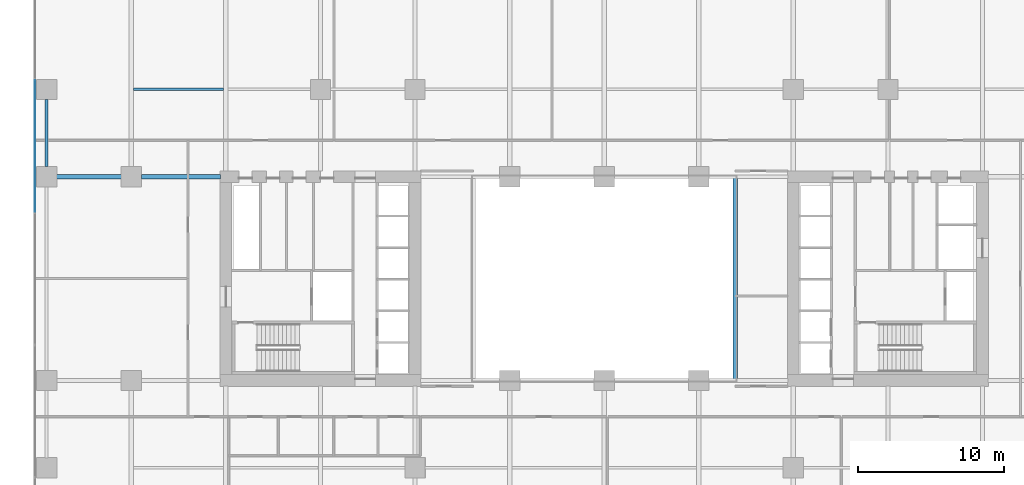
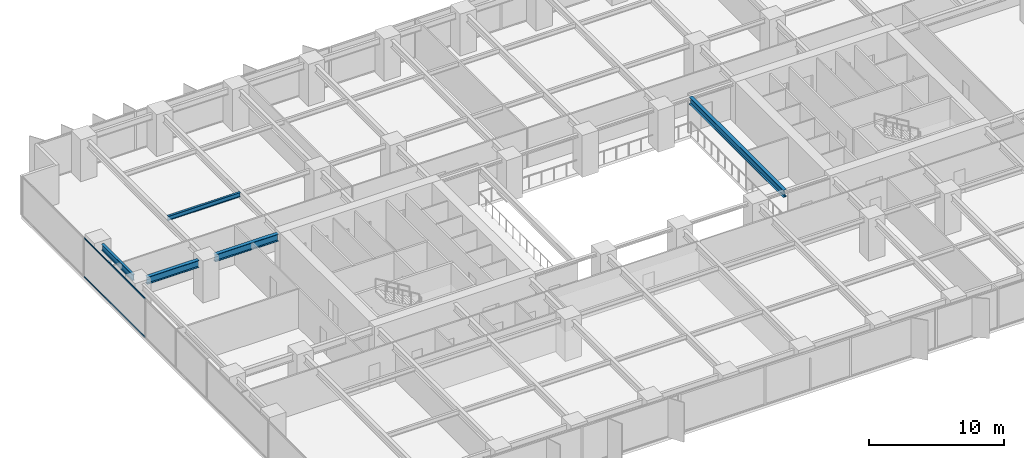
# One storey, part 6 of 21: 5 beams, 2 members, 1 element without a shape of its own.
"""IFC4 building model written with IfcOpenShell, lengths in metres."""

from ifc_helpers import new_model, si_unit, direction, frame, origin, origin_2d, place, context, subcontext, project, spatial, rectangle, i_section, extrude, material, layer, layer_set, material_profile, profile_set, type_object, element, aggregate, save


model = new_model("IFC4")

# Units and contexts
model_context = context("Model", 3, precision=1e-05, world=origin(), true_north=direction((0.0, 1.0)))
body_context = subcontext(model_context, "Body", "Model", "MODEL_VIEW")
ifc_project = project(units=[si_unit("LENGTHUNIT", "METRE"), si_unit("AREAUNIT", "SQUARE_METRE"), si_unit("VOLUMEUNIT", "CUBIC_METRE"), si_unit("PLANEANGLEUNIT", "RADIAN"), si_unit("MASSUNIT", "GRAM", prefix="KILO")], contexts=[model_context])

# Site, building, storey
site_placement = place(None, origin())
site = spatial("IfcSite", under=ifc_project, at=site_placement, CompositionType="ELEMENT")
building_placement = place(site_placement, origin())
building = spatial("IfcBuilding", under=site, at=building_placement, Name="Putna Gate Headquarters", CompositionType="ELEMENT")
storey_placement = place(building_placement, frame((0.0, 0.0, 39.199951171875)))
storey = spatial("IfcBuildingStorey", under=building, at=storey_placement, Name="L08", CompositionType="ELEMENT", Elevation=39.199951171875)

# Beams
ifc_material_1 = material(Name="Steel S355J2", Category="steel")
ifc_material_profile_1 = material_profile(ifc_material_1, i_section(OverallWidth=0.300048828125, OverallDepth=0.64990234375, WebThickness=0.01611328125, FlangeThickness=0.031005859375, at=origin_2d()), Name="Steel S355J2")
ifc_profile_set_1 = profile_set([ifc_material_profile_1], Name="Steel S355J2")
beam_type_1 = type_object("IfcBeamType", Name="BM-GIRD-Z1-HEB650", PredefinedType="USERDEFINED", material=ifc_profile_set_1)
beam_1_placement = place(storey_placement, frame((1.367919921875, 33.0, 3.22509765625), z_axis=(1.0, 0.0, 0.0), x_axis=(0.0, 1.0, 0.0)))
element("IfcBeam", 1, at=beam_1_placement, inside=storey, type_object=beam_type_1, Name="L08 West Wing Girder Y33-1", ObjectType="GIRDER", PredefinedType="USERDEFINED", context=body_context, shape_type="SweptSolid", body=[
    extrude(i_section(OverallWidth=0.300048828125, OverallDepth=0.64990234375, WebThickness=0.01611328125, FlangeThickness=0.031005859375, at=origin_2d()), origin(), (0.0, 0.0, 1.0), 4.444091796875),
])
beam_2_placement = place(storey_placement, frame((7.18798828125, 33.0, 3.22509765625), z_axis=(1.0, 0.0, 0.0), x_axis=(0.0, 1.0, 0.0)))
element("IfcBeam", 2, at=beam_2_placement, inside=storey, type_object=beam_type_1, Name="L08 West Wing Girder Y33-2", ObjectType="GIRDER", PredefinedType="USERDEFINED", context=body_context, shape_type="SweptSolid", body=[
    extrude(i_section(OverallWidth=0.300048828125, OverallDepth=0.64990234375, WebThickness=0.01611328125, FlangeThickness=0.031005859375, at=origin_2d()), origin(), (0.0, 0.0, 1.0), 5.427001953125),
])
beam_3_placement = place(storey_placement, frame((48.0, 19.010009765625, 3.22509765625), z_axis=(0.0, 1.0, 0.0), x_axis=(-1.0, 0.0, 0.0)))
element("IfcBeam", 3, at=beam_3_placement, inside=storey, type_object=beam_type_1, Name="L08 Atrium Trim Girder AE", ObjectType="GIRDER", PredefinedType="USERDEFINED", context=body_context, shape_type="SweptSolid", body=[
    extrude(i_section(OverallWidth=0.300048828125, OverallDepth=0.64990234375, WebThickness=0.01611328125, FlangeThickness=0.031005859375, at=origin_2d()), origin(), (0.0, 0.0, 1.0), 13.97998046875),
])
ifc_material_profile_2 = material_profile(ifc_material_1, i_section(OverallWidth=0.179931640625, OverallDepth=0.39990234375, WebThickness=0.008544921875, FlangeThickness=0.013427734375, at=origin_2d()), Name="Steel S355J2")
ifc_profile_set_2 = profile_set([ifc_material_profile_2], Name="Steel S355J2")
beam_type_2 = type_object("IfcBeamType", Name="BM-SEC-Z1-IPE400", PredefinedType="BEAM", material=ifc_profile_set_2)
beam_4_placement = place(storey_placement, frame((6.654052734375, 39.0, 3.35009765625), z_axis=(1.0, 0.0, 0.0), x_axis=(0.0, 1.0, 0.0)))
element("IfcBeam", 4, at=beam_4_placement, inside=storey, type_object=beam_type_2, Name="L08 North Secondary Beam 1", PredefinedType="BEAM", context=body_context, shape_type="SweptSolid", body=[
    extrude(i_section(OverallWidth=0.179931640625, OverallDepth=0.39990234375, WebThickness=0.008544921875, FlangeThickness=0.013427734375, at=origin_2d()), origin(), (0.0, 0.0, 1.0), 6.19189453125),
])
ifc_material_profile_3 = material_profile(ifc_material_1, i_section(OverallWidth=0.2099609375, OverallDepth=0.550048828125, WebThickness=0.010986328125, FlangeThickness=0.01708984375, at=origin_2d()), Name="Steel S355J2")
ifc_profile_set_3 = profile_set([ifc_material_profile_3], Name="Steel S355J2")
beam_type_3 = type_object("IfcBeamType", Name="BM-SPAN-Z1-IPE550", PredefinedType="SPANDREL", material=ifc_profile_set_3)
beam_5_placement = place(storey_placement, frame((0.679931640625, 33.68798828125, 3.275146484375), z_axis=(0.0, 1.0, 0.0), x_axis=(-1.0, 0.0, 0.0)))
element("IfcBeam", 5, at=beam_5_placement, inside=storey, type_object=beam_type_3, Name="L08 W End Spandrel 3", PredefinedType="SPANDREL", context=body_context, shape_type="SweptSolid", body=[
    extrude(i_section(OverallWidth=0.2099609375, OverallDepth=0.550048828125, WebThickness=0.010986328125, FlangeThickness=0.01708984375, at=origin_2d()), origin(), (0.0, 0.0, 1.0), 4.6240234375),
])

# Curtain wall, members
ifc_material_2 = material(Name="Anodised bronze aluminium curtain wall", Category="aluminium")
ifc_layer = layer(ifc_material_2, 0.179931640625)
ifc_layer_set = layer_set([ifc_layer], Name="Anodised bronze aluminium curtain wall")
curtain_wall_type = type_object("IfcCurtainWallType", Name="CW-SYS-Z1", PredefinedType="USERDEFINED", material=ifc_layer_set)
curtain_wall_placement = place(storey_placement, origin())
curtain_wall = element("IfcCurtainWall", 6, at=curtain_wall_placement, inside=storey, type_object=curtain_wall_type, Name="L08 West Curtain Wall", ObjectType="STICK CURTAIN WALL", PredefinedType="USERDEFINED")
ifc_material_3 = material(Name="Anodised bronze aluminium EN AW-6060", Category="aluminium")
ifc_material_profile_4 = material_profile(ifc_material_3, rectangle(XDim=0.06494140625, YDim=0.1201171875, at=origin_2d()), Name="Anodised bronze aluminium EN AW-6060")
ifc_profile_set_4 = profile_set([ifc_material_profile_4], Name="Anodised bronze aluminium EN AW-6060")
member_type = type_object("IfcMemberType", Name="TRAN-CWT-1", PredefinedType="USERDEFINED", material=ifc_profile_set_4)
member_1_placement = place(storey_placement, frame((-0.1201171875, 30.594970703125, 0.032470703125), z_axis=(0.0, 1.0, 0.0), x_axis=(-1.0, 0.0, 0.0)))
member_1 = element("IfcMember", 7, at=member_1_placement, type_object=member_type, Name="CWS-1 transom 4.1", ObjectType="TRANSOM", PredefinedType="USERDEFINED", context=body_context, shape_type="SweptSolid", body=[
    extrude(rectangle(XDim=0.06494140625, YDim=0.1201171875, at=origin_2d()), origin(), (0.0, 0.0, 1.0), 9.050048828125),
])
member_2_placement = place(storey_placement, frame((-0.1201171875, 30.594970703125, 3.517578125), z_axis=(0.0, 1.0, 0.0), x_axis=(-1.0, 0.0, 0.0)))
member_2 = element("IfcMember", 8, at=member_2_placement, type_object=member_type, Name="CWS-1 transom 4.2", ObjectType="TRANSOM", PredefinedType="USERDEFINED", context=body_context, shape_type="SweptSolid", body=[
    extrude(rectangle(XDim=0.06494140625, YDim=0.1201171875, at=origin_2d()), origin(), (0.0, 0.0, 1.0), 9.050048828125),
])
aggregate(curtain_wall, [member_1, member_2])

save(model, "model.ifc")
